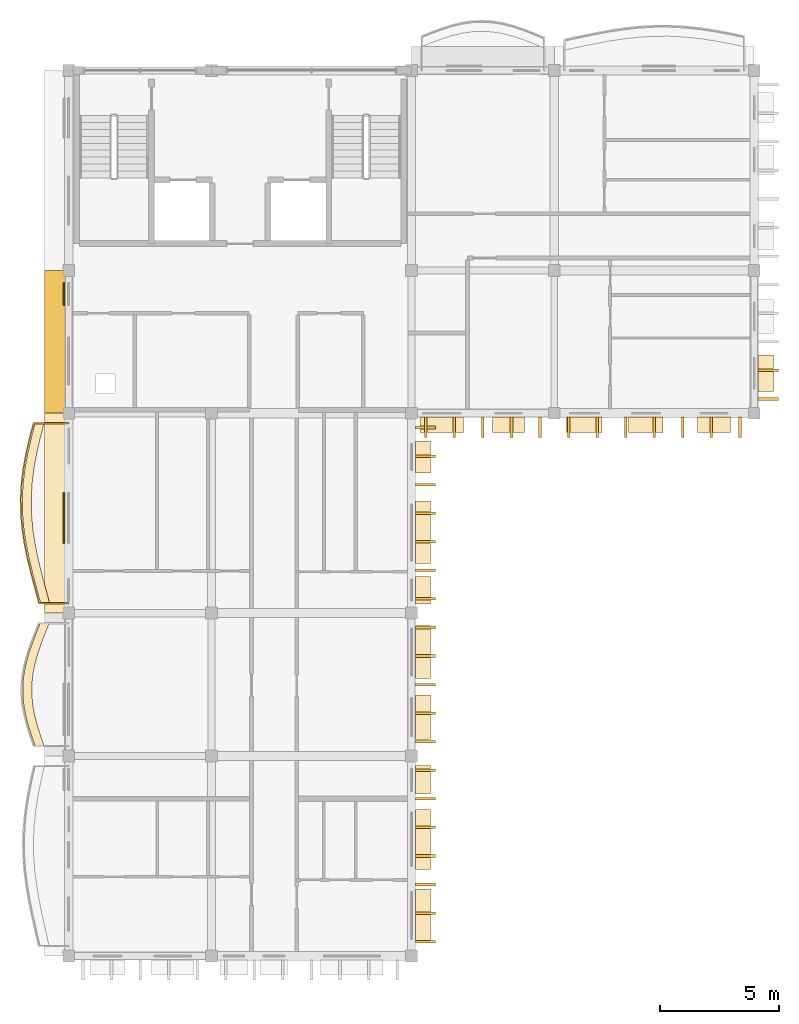
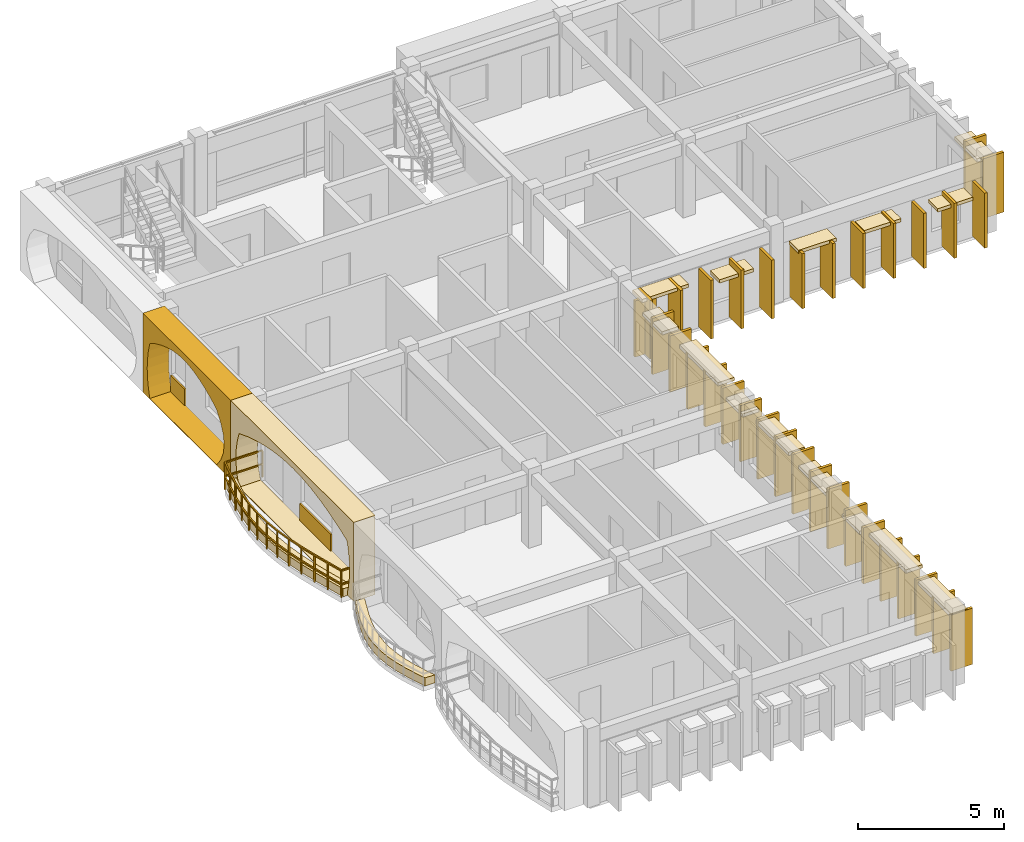
# One storey, part 9 of 11: 53 coverings, 1 railing.
"""IFC4 building model written with IfcOpenShell, lengths in metres."""

from ifc_helpers import new_model, si_unit, direction, frame, origin, origin_2d, place, context, subcontext, project, spatial, polyline, rectangle, outline, extrude, material, layer, layer_set, type_object, element, save


model = new_model("IFC4")

# Units and contexts
model_context = context("Model", 3, precision=1e-05, world=origin(), true_north=direction((0.0, 1.0)))
body_context = subcontext(model_context, "Body", "Model", "MODEL_VIEW")
ifc_project = project(units=[si_unit("LENGTHUNIT", "METRE"), si_unit("AREAUNIT", "SQUARE_METRE"), si_unit("VOLUMEUNIT", "CUBIC_METRE"), si_unit("PLANEANGLEUNIT", "RADIAN"), si_unit("MASSUNIT", "GRAM", prefix="KILO"), si_unit("THERMODYNAMICTEMPERATUREUNIT", "KELVIN")], contexts=[model_context])

# Site, building, storey
site_placement = place(None, origin())
site = spatial("IfcSite", under=ifc_project, at=site_placement, CompositionType="ELEMENT")
building_placement = place(site_placement, origin())
building = spatial("IfcBuilding", under=site, at=building_placement, Name="Thalorik Housing Commons", CompositionType="ELEMENT")
storey_placement = place(building_placement, frame((0.0, 0.0, 47.699951171875)))
storey = spatial("IfcBuildingStorey", under=building, at=storey_placement, Name="L14", CompositionType="ELEMENT", Elevation=47.699951171875)

# Coverings
ifc_material_1 = material(Name="Cobalt blue glazed ceramic facade tile panel", Category="masonry")
ifc_layer_1 = layer(ifc_material_1, 0.06005859375, Name="Cobalt blue glazed ceramic facade tile panel", Category="masonry")
ifc_layer_set_1 = layer_set([ifc_layer_1], Name="Cobalt blue glazed ceramic facade tile panel")
covering_type_1 = type_object("IfcCoveringType", Name="ARC-CLD-BLU-60", PredefinedType="CLADDING", material=ifc_layer_set_1)
covering_1_placement = place(storey_placement, frame((8.205078125, 104.800048828125, 0.05029296875), z_axis=(0.0, 0.0, 1.0), x_axis=(0.0, -1.0, 0.0)))
element("IfcCovering", 1, at=covering_1_placement, inside=storey, type_object=covering_type_1, Name="L14 De Stijl Recessed Window Spandrel 1361", PredefinedType="CLADDING", context=body_context, shape_type="SweptSolid", body=[
    extrude(rectangle(XDim=2.1201171875, YDim=0.06005859375, at=origin_2d()), origin(), (0.0, 0.0, 1.0), 0.699951171875),
])
ifc_material_2 = material(Name="Precast concrete C40/50", Category="concrete")
ifc_layer_2 = layer(ifc_material_2, 0.85009765625, Name="Precast concrete C40/50", Category="concrete")
ifc_layer_set_2 = layer_set([ifc_layer_2], Name="Precast concrete C40/50")
covering_type_2 = type_object("IfcCoveringType", Name="ARC-CLD-CUSH-850", PredefinedType="CLADDING", material=ifc_layer_set_2)
covering_2_placement = place(storey_placement, frame((7.81494140625, 112.199951171875, 0.0), z_axis=(0.0, 0.0, 1.0), x_axis=(0.0, -1.0, 0.0)))
element("IfcCovering", 2, at=covering_2_placement, inside=storey, type_object=covering_type_2, Name="L14 White Precast Curved Cushion Bay Frame 1358", PredefinedType="CLADDING", context=body_context, shape_type="SweptSolid", body=[
    extrude(outline(polyline([(-3.0, 0.0), (3.0, 0.0), (3.0, 3.300048828125), (-3.0, 3.300048828125), (-3.0, 0.0)]), holes=[polyline([(2.0400390625, 0.02490234375), (2.3232421875, 0.407470703125), (2.493408203125, 0.7900390625), (2.550048828125, 1.172607421875), (2.493408203125, 1.554931640625), (2.3232421875, 1.9375), (2.0400390625, 2.320068359375), (1.6591796875, 2.539306640625), (1.2783203125, 2.711181640625), (0.8974609375, 2.8505859375), (0.5166015625, 2.954345703125), (0.1357421875, 3.018310546875), (-0.2451171875, 3.0400390625), (-0.625732421875, 3.018310546875), (-1.006591796875, 2.954345703125), (-1.387451171875, 2.8505859375), (-1.768310546875, 2.711181640625), (-2.149169921875, 2.539306640625), (-2.530029296875, 2.320068359375), (-2.629150390625, 1.9375), (-2.688720703125, 1.554931640625), (-2.70849609375, 1.172607421875), (-2.688720703125, 0.7900390625), (-2.629150390625, 0.407470703125), (-2.530029296875, 0.02490234375), (2.0400390625, 0.02490234375)])]), frame((0.0, 0.425048828125, 0.0), z_axis=(0.0, -1.0, 0.0), x_axis=(1.0, 0.0, 0.0)), (0.0, 0.0, 1.0), 0.85009765625),
])
covering_3_placement = place(storey_placement, frame((7.81494140625, 105.0, 0.0), z_axis=(0.0, 0.0, 1.0), x_axis=(0.0, -1.0, 0.0)))
element("IfcCovering", 3, at=covering_3_placement, inside=storey, type_object=covering_type_2, Name="L14 White Precast Curved Cushion Bay Frame 1360", PredefinedType="CLADDING", context=body_context, shape_type="SweptSolid", body=[
    extrude(outline(polyline([(-4.199951171875, 0.0), (4.199951171875, 0.0), (4.199951171875, 3.300048828125), (-4.199951171875, 3.300048828125), (-4.199951171875, 0.0)]), holes=[polyline([(3.7451171875, 0.02490234375), (3.841064453125, 0.3974609375), (3.898681640625, 0.77001953125), (3.91796875, 1.142578125), (3.898681640625, 1.514892578125), (3.841064453125, 1.887451171875), (3.7451171875, 2.260009765625), (3.13037109375, 2.497314453125), (2.515869140625, 2.683837890625), (1.9013671875, 2.8349609375), (1.28662109375, 2.947265625), (0.672119140625, 3.0166015625), (0.0576171875, 3.0400390625), (-0.55712890625, 3.0166015625), (-1.171630859375, 2.947265625), (-1.7861328125, 2.8349609375), (-2.40087890625, 2.683837890625), (-3.015380859375, 2.497314453125), (-3.6298828125, 2.260009765625), (-3.750244140625, 1.887451171875), (-3.822509765625, 1.514892578125), (-3.8466796875, 1.142578125), (-3.822509765625, 0.77001953125), (-3.750244140625, 0.3974609375), (-3.6298828125, 0.02490234375), (3.7451171875, 0.02490234375)])]), frame((0.0, 0.425048828125, 0.0), z_axis=(0.0, -1.0, 0.0), x_axis=(1.0, 0.0, 0.0)), (0.0, 0.0, 1.0), 0.85009765625),
])
ifc_layer_3 = layer(ifc_material_2, 0.85009765625, Name="Precast concrete C40/50", Category="concrete")
ifc_layer_set_3 = layer_set([ifc_layer_3], Name="Precast concrete C40/50")
covering_type_3 = type_object("IfcCoveringType", Name="ARC-CLD-FIN-850", PredefinedType="CLADDING", material=ifc_layer_set_3)
for number, where, z_axis, x_axis, name in (
    (4, (23.39990234375, 108.614990234375, 0.0400390625), (0.0, 0.0, 1.0), (1.0, 0.0, 0.0), "L14 Courtyard Precast Vertical Brise-Soleil Fin 1318"),
    (5, (24.60009765625, 108.614990234375, 0.0400390625), (0.0, 0.0, 1.0), (1.0, 0.0, 0.0), "L14 Courtyard Precast Vertical Brise-Soleil Fin 1319"),
    (6, (25.800048828125, 108.614990234375, 0.0400390625), (0.0, 0.0, 1.0), (1.0, 0.0, 0.0), "L14 Courtyard Precast Vertical Brise-Soleil Fin 1320"),
    (7, (27.0, 108.614990234375, 0.0400390625), (0.0, 0.0, 1.0), (1.0, 0.0, 0.0), "L14 Courtyard Precast Vertical Brise-Soleil Fin 1321"),
    (8, (28.199951171875, 108.614990234375, 0.0400390625), (0.0, 0.0, 1.0), (1.0, 0.0, 0.0), "L14 Courtyard Precast Vertical Brise-Soleil Fin 1322"),
):
    element("IfcCovering", number, at=place(storey_placement, frame(where, z_axis=z_axis, x_axis=x_axis)), inside=storey, type_object=covering_type_3, Name=name, PredefinedType="CLADDING", context=body_context, shape_type="SweptSolid", body=[
        extrude(rectangle(XDim=0.110107421875, YDim=0.85009765625, at=origin_2d()), origin(), (0.0, 0.0, 1.0), 2.445068359375),
    ])
for number, where, z_axis, x_axis, name in (
    (9, (29.39990234375, 108.614990234375, 0.0400390625), (0.0, 0.0, 1.0), (1.0, 0.0, 0.0), "L14 Courtyard Precast Vertical Brise-Soleil Fin 1325"),
    (10, (30.60009765625, 108.614990234375, 0.0400390625), (0.0, 0.0, 1.0), (1.0, 0.0, 0.0), "L14 Courtyard Precast Vertical Brise-Soleil Fin 1326"),
    (11, (31.800048828125, 108.614990234375, 0.0400390625), (0.0, 0.0, 1.0), (1.0, 0.0, 0.0), "L14 Courtyard Precast Vertical Brise-Soleil Fin 1327"),
    (12, (33.0, 108.614990234375, 0.0400390625), (0.0, 0.0, 1.0), (1.0, 0.0, 0.0), "L14 Courtyard Precast Vertical Brise-Soleil Fin 1328"),
    (13, (34.199951171875, 108.614990234375, 0.0400390625), (0.0, 0.0, 1.0), (1.0, 0.0, 0.0), "L14 Courtyard Precast Vertical Brise-Soleil Fin 1329"),
    (14, (35.39990234375, 108.614990234375, 0.0400390625), (0.0, 0.0, 1.0), (1.0, 0.0, 0.0), "L14 Courtyard Precast Vertical Brise-Soleil Fin 1330"),
    (15, (36.60009765625, 108.614990234375, 0.0400390625), (0.0, 0.0, 1.0), (1.0, 0.0, 0.0), "L14 Courtyard Precast Vertical Brise-Soleil Fin 1331"),
):
    element("IfcCovering", number, at=place(storey_placement, frame(where, z_axis=z_axis, x_axis=x_axis)), inside=storey, type_object=covering_type_3, Name=name, PredefinedType="CLADDING", context=body_context, shape_type="SweptSolid", body=[
        extrude(rectangle(XDim=0.110107421875, YDim=0.85009765625, at=origin_2d()), origin(), (0.0, 0.0, 1.0), 2.294921875),
    ])
for number, where, z_axis, x_axis, name in (
    (16, (37.784912109375, 109.800048828125, 0.0400390625), (0.0, 0.0, 1.0), (0.0, 1.0, 0.0), "L14 Courtyard Precast Vertical Brise-Soleil Fin 1335"),
    (17, (37.784912109375, 111.0, 0.0400390625), (0.0, 0.0, 1.0), (0.0, 1.0, 0.0), "L14 Courtyard Precast Vertical Brise-Soleil Fin 1336"),
):
    element("IfcCovering", number, at=place(storey_placement, frame(where, z_axis=z_axis, x_axis=x_axis)), inside=storey, type_object=covering_type_3, Name=name, PredefinedType="CLADDING", context=body_context, shape_type="SweptSolid", body=[
        extrude(rectangle(XDim=0.110107421875, YDim=0.85009765625, at=origin_2d()), origin(), (0.0, 0.0, 1.0), 2.4951171875),
    ])
for number, where, z_axis, x_axis, name in (
    (18, (23.385009765625, 87.0, 0.0400390625), (0.0, 0.0, 1.0), (0.0, 1.0, 0.0), "L14 Courtyard Precast Vertical Brise-Soleil Fin 1383"),
    (19, (23.385009765625, 88.199951171875, 0.0400390625), (0.0, 0.0, 1.0), (0.0, 1.0, 0.0), "L14 Courtyard Precast Vertical Brise-Soleil Fin 1384"),
    (20, (23.385009765625, 89.39990234375, 0.0400390625), (0.0, 0.0, 1.0), (0.0, 1.0, 0.0), "L14 Courtyard Precast Vertical Brise-Soleil Fin 1385"),
    (21, (23.385009765625, 90.60009765625, 0.0400390625), (0.0, 0.0, 1.0), (0.0, 1.0, 0.0), "L14 Courtyard Precast Vertical Brise-Soleil Fin 1386"),
    (22, (23.385009765625, 91.800048828125, 0.0400390625), (0.0, 0.0, 1.0), (0.0, 1.0, 0.0), "L14 Courtyard Precast Vertical Brise-Soleil Fin 1387"),
    (23, (23.385009765625, 93.0, 0.0400390625), (0.0, 0.0, 1.0), (0.0, 1.0, 0.0), "L14 Courtyard Precast Vertical Brise-Soleil Fin 1388"),
    (24, (23.385009765625, 94.199951171875, 0.0400390625), (0.0, 0.0, 1.0), (0.0, 1.0, 0.0), "L14 Courtyard Precast Vertical Brise-Soleil Fin 1389"),
):
    element("IfcCovering", number, at=place(storey_placement, frame(where, z_axis=z_axis, x_axis=x_axis)), inside=storey, type_object=covering_type_3, Name=name, PredefinedType="CLADDING", context=body_context, shape_type="SweptSolid", body=[
        extrude(rectangle(XDim=0.110107421875, YDim=0.85009765625, at=origin_2d()), origin(), (0.0, 0.0, 1.0), 2.344970703125),
    ])
for number, where, z_axis, x_axis, name in (
    (25, (23.385009765625, 95.39990234375, 0.0400390625), (0.0, 0.0, 1.0), (0.0, 1.0, 0.0), "L14 Courtyard Precast Vertical Brise-Soleil Fin 1393"),
    (26, (23.385009765625, 96.60009765625, 0.0400390625), (0.0, 0.0, 1.0), (0.0, 1.0, 0.0), "L14 Courtyard Precast Vertical Brise-Soleil Fin 1394"),
    (27, (23.385009765625, 97.800048828125, 0.0400390625), (0.0, 0.0, 1.0), (0.0, 1.0, 0.0), "L14 Courtyard Precast Vertical Brise-Soleil Fin 1395"),
    (28, (23.385009765625, 99.0, 0.0400390625), (0.0, 0.0, 1.0), (0.0, 1.0, 0.0), "L14 Courtyard Precast Vertical Brise-Soleil Fin 1396"),
    (29, (23.385009765625, 100.199951171875, 0.0400390625), (0.0, 0.0, 1.0), (0.0, 1.0, 0.0), "L14 Courtyard Precast Vertical Brise-Soleil Fin 1397"),
):
    element("IfcCovering", number, at=place(storey_placement, frame(where, z_axis=z_axis, x_axis=x_axis)), inside=storey, type_object=covering_type_3, Name=name, PredefinedType="CLADDING", context=body_context, shape_type="SweptSolid", body=[
        extrude(rectangle(XDim=0.110107421875, YDim=0.85009765625, at=origin_2d()), origin(), (0.0, 0.0, 1.0), 2.4951171875),
    ])
for number, where, z_axis, x_axis, name in (
    (30, (23.385009765625, 101.39990234375, 0.0400390625), (0.0, 0.0, 1.0), (0.0, 1.0, 0.0), "L14 Courtyard Precast Vertical Brise-Soleil Fin 1400"),
    (31, (23.385009765625, 102.60009765625, 0.0400390625), (0.0, 0.0, 1.0), (0.0, 1.0, 0.0), "L14 Courtyard Precast Vertical Brise-Soleil Fin 1401"),
    (32, (23.385009765625, 103.800048828125, 0.0400390625), (0.0, 0.0, 1.0), (0.0, 1.0, 0.0), "L14 Courtyard Precast Vertical Brise-Soleil Fin 1402"),
    (33, (23.385009765625, 105.0, 0.0400390625), (0.0, 0.0, 1.0), (0.0, 1.0, 0.0), "L14 Courtyard Precast Vertical Brise-Soleil Fin 1403"),
    (34, (23.385009765625, 106.199951171875, 0.0400390625), (0.0, 0.0, 1.0), (0.0, 1.0, 0.0), "L14 Courtyard Precast Vertical Brise-Soleil Fin 1404"),
    (35, (23.385009765625, 107.39990234375, 0.0400390625), (0.0, 0.0, 1.0), (0.0, 1.0, 0.0), "L14 Courtyard Precast Vertical Brise-Soleil Fin 1405"),
    (36, (23.385009765625, 108.60009765625, 0.0400390625), (0.0, 0.0, 1.0), (0.0, 1.0, 0.0), "L14 Courtyard Precast Vertical Brise-Soleil Fin 1406"),
):
    element("IfcCovering", number, at=place(storey_placement, frame(where, z_axis=z_axis, x_axis=x_axis)), inside=storey, type_object=covering_type_3, Name=name, PredefinedType="CLADDING", context=body_context, shape_type="SweptSolid", body=[
        extrude(rectangle(XDim=0.110107421875, YDim=0.85009765625, at=origin_2d()), origin(), (0.0, 0.0, 1.0), 2.344970703125),
    ])
ifc_layer_4 = layer(ifc_material_2, 0.64990234375, Name="Precast concrete C40/50", Category="concrete")
ifc_layer_set_4 = layer_set([ifc_layer_4], Name="Precast concrete C40/50")
covering_type_4 = type_object("IfcCoveringType", Name="ARC-CLD-HOOD-650", PredefinedType="CLADDING", material=ifc_layer_set_4)
covering_4_placement = place(storey_placement, frame((24.070068359375, 108.715087890625, 2.34033203125), z_axis=(0.0, 0.0, 1.0), x_axis=(1.0, 0.0, 0.0)))
element("IfcCovering", 37, at=covering_4_placement, inside=storey, type_object=covering_type_4, Name="L14 Courtyard Precast Window Sun-Hood 1323", PredefinedType="CLADDING", context=body_context, shape_type="SweptSolid", body=[
    extrude(rectangle(XDim=1.840087890625, YDim=0.64990234375, at=origin_2d()), origin(), (0.0, 0.0, 1.0), 0.139892578125),
])
covering_5_placement = place(storey_placement, frame((26.8798828125, 108.715087890625, 2.09033203125), z_axis=(0.0, 0.0, 1.0), x_axis=(1.0, 0.0, 0.0)))
element("IfcCovering", 38, at=covering_5_placement, inside=storey, type_object=covering_type_4, Name="L14 Courtyard Precast Window Sun-Hood 1324", PredefinedType="CLADDING", context=body_context, shape_type="SweptSolid", body=[
    extrude(rectangle(XDim=1.340087890625, YDim=0.64990234375, at=origin_2d()), origin(), (0.0, 0.0, 1.0), 0.139892578125),
])
covering_6_placement = place(storey_placement, frame((30.0673828125, 108.715087890625, 2.22509765625), z_axis=(0.0, 0.0, 1.0), x_axis=(1.0, 0.0, 0.0)))
element("IfcCovering", 39, at=covering_6_placement, inside=storey, type_object=covering_type_4, Name="L14 Courtyard Precast Window Sun-Hood 1332", PredefinedType="CLADDING", context=body_context, shape_type="SweptSolid", body=[
    extrude(rectangle(XDim=1.489990234375, YDim=0.64990234375, at=origin_2d()), origin(), (0.0, 0.0, 1.0), 0.139892578125),
])
covering_7_placement = place(storey_placement, frame((32.646240234375, 108.715087890625, 2.14013671875), z_axis=(0.0, 0.0, 1.0), x_axis=(1.0, 0.0, 0.0)))
element("IfcCovering", 40, at=covering_7_placement, inside=storey, type_object=covering_type_4, Name="L14 Courtyard Precast Window Sun-Hood 1333", PredefinedType="CLADDING", context=body_context, shape_type="SweptSolid", body=[
    extrude(rectangle(XDim=1.43994140625, YDim=0.64990234375, at=origin_2d()), origin(), (0.0, 0.0, 1.0), 0.139892578125),
])
covering_8_placement = place(storey_placement, frame((35.5087890625, 108.715087890625, 2.0400390625), z_axis=(0.0, 0.0, 1.0), x_axis=(1.0, 0.0, 0.0)))
element("IfcCovering", 41, at=covering_8_placement, inside=storey, type_object=covering_type_4, Name="L14 Courtyard Precast Window Sun-Hood 1334", PredefinedType="CLADDING", context=body_context, shape_type="SweptSolid", body=[
    extrude(rectangle(XDim=1.389892578125, YDim=0.64990234375, at=origin_2d()), origin(), (0.0, 0.0, 1.0), 0.139892578125),
])
covering_9_placement = place(storey_placement, frame((37.68505859375, 110.87548828125, 2.18994140625), z_axis=(0.0, 0.0, 1.0), x_axis=(0.0, 1.0, 0.0)))
element("IfcCovering", 42, at=covering_9_placement, inside=storey, type_object=covering_type_4, Name="L14 Courtyard Precast Window Sun-Hood 1340", PredefinedType="CLADDING", context=body_context, shape_type="SweptSolid", body=[
    extrude(rectangle(XDim=1.5400390625, YDim=0.64990234375, at=origin_2d()), origin(), (0.0, 0.0, 1.0), 0.139892578125),
])
covering_10_placement = place(storey_placement, frame((23.284912109375, 88.094482421875, 2.27490234375), z_axis=(0.0, 0.0, 1.0), x_axis=(0.0, 1.0, 0.0)))
element("IfcCovering", 43, at=covering_10_placement, inside=storey, type_object=covering_type_4, Name="L14 Courtyard Precast Window Sun-Hood 1390", PredefinedType="CLADDING", context=body_context, shape_type="SweptSolid", body=[
    extrude(rectangle(XDim=2.239990234375, YDim=0.64990234375, at=origin_2d()), origin(), (0.0, 0.0, 1.0), 0.139892578125),
])
covering_11_placement = place(storey_placement, frame((23.284912109375, 91.299560546875, 2.25), z_axis=(0.0, 0.0, 1.0), x_axis=(0.0, 1.0, 0.0)))
element("IfcCovering", 44, at=covering_11_placement, inside=storey, type_object=covering_type_4, Name="L14 Courtyard Precast Window Sun-Hood 1391", PredefinedType="CLADDING", context=body_context, shape_type="SweptSolid", body=[
    extrude(rectangle(XDim=2.52001953125, YDim=0.64990234375, at=origin_2d()), origin(), (0.0, 0.0, 1.0), 0.139892578125),
])
covering_12_placement = place(storey_placement, frame((23.284912109375, 93.804931640625, 1.93994140625), z_axis=(0.0, 0.0, 1.0), x_axis=(0.0, 1.0, 0.0)))
element("IfcCovering", 45, at=covering_12_placement, inside=storey, type_object=covering_type_4, Name="L14 Courtyard Precast Window Sun-Hood 1392", PredefinedType="CLADDING", context=body_context, shape_type="SweptSolid", body=[
    extrude(rectangle(XDim=1.18994140625, YDim=0.64990234375, at=origin_2d()), origin(), (0.0, 0.0, 1.0), 0.139892578125),
])
covering_13_placement = place(storey_placement, frame((23.284912109375, 96.429931640625, 2.169921875), z_axis=(0.0, 0.0, 1.0), x_axis=(0.0, 1.0, 0.0)))
element("IfcCovering", 46, at=covering_13_placement, inside=storey, type_object=covering_type_4, Name="L14 Courtyard Precast Window Sun-Hood 1398", PredefinedType="CLADDING", context=body_context, shape_type="SweptSolid", body=[
    extrude(rectangle(XDim=1.860107421875, YDim=0.64990234375, at=origin_2d()), origin(), (0.0, 0.0, 1.0), 0.139892578125),
])
covering_14_placement = place(storey_placement, frame((23.284912109375, 99.169921875, 2.2900390625), z_axis=(0.0, 0.0, 1.0), x_axis=(0.0, 1.0, 0.0)))
element("IfcCovering", 47, at=covering_14_placement, inside=storey, type_object=covering_type_4, Name="L14 Courtyard Precast Window Sun-Hood 1399", PredefinedType="CLADDING", context=body_context, shape_type="SweptSolid", body=[
    extrude(rectangle(XDim=2.219970703125, YDim=0.64990234375, at=origin_2d()), origin(), (0.0, 0.0, 1.0), 0.139892578125),
])
covering_15_placement = place(storey_placement, frame((23.284912109375, 101.7666015625, 1.990234375), z_axis=(0.0, 0.0, 1.0), x_axis=(0.0, 1.0, 0.0)))
element("IfcCovering", 48, at=covering_15_placement, inside=storey, type_object=covering_type_4, Name="L14 Courtyard Precast Window Sun-Hood 1407", PredefinedType="CLADDING", context=body_context, shape_type="SweptSolid", body=[
    extrude(rectangle(XDim=1.139892578125, YDim=0.64990234375, at=origin_2d()), origin(), (0.0, 0.0, 1.0), 0.139892578125),
])
covering_16_placement = place(storey_placement, frame((23.284912109375, 104.19482421875, 2.27001953125), z_axis=(0.0, 0.0, 1.0), x_axis=(0.0, 1.0, 0.0)))
element("IfcCovering", 49, at=covering_16_placement, inside=storey, type_object=covering_type_4, Name="L14 Courtyard Precast Window Sun-Hood 1408", PredefinedType="CLADDING", context=body_context, shape_type="SweptSolid", body=[
    extrude(rectangle(XDim=2.6201171875, YDim=0.64990234375, at=origin_2d()), origin(), (0.0, 0.0, 1.0), 0.139892578125),
])
covering_17_placement = place(storey_placement, frame((23.284912109375, 107.3583984375, 2.09033203125), z_axis=(0.0, 0.0, 1.0), x_axis=(0.0, 1.0, 0.0)))
element("IfcCovering", 50, at=covering_17_placement, inside=storey, type_object=covering_type_4, Name="L14 Courtyard Precast Window Sun-Hood 1409", PredefinedType="CLADDING", context=body_context, shape_type="SweptSolid", body=[
    extrude(rectangle(XDim=1.340087890625, YDim=0.64990234375, at=origin_2d()), origin(), (0.0, 0.0, 1.0), 0.139892578125),
])
ifc_material_3 = material(Name="Terracotta red mineral fibre-cement panel", Category="masonry")
ifc_layer_5 = layer(ifc_material_3, 0.054931640625, Name="Terracotta red mineral fibre-cement panel", Category="masonry")
ifc_layer_set_5 = layer_set([ifc_layer_5], Name="Terracotta red mineral fibre-cement panel")
covering_type_5 = type_object("IfcCoveringType", Name="ARC-CLD-RED-55", PredefinedType="CLADDING", material=ifc_layer_set_5)
covering_18_placement = place(storey_placement, frame((8.20751953125, 114.205078125, 0.05029296875), z_axis=(0.0, 0.0, 1.0), x_axis=(0.0, -1.0, 0.0)))
element("IfcCovering", 51, at=covering_18_placement, inside=storey, type_object=covering_type_5, Name="L14 De Stijl Recessed Window Spandrel 1359", PredefinedType="CLADDING", context=body_context, shape_type="SweptSolid", body=[
    extrude(rectangle(XDim=0.949951171875, YDim=0.054931640625, at=origin_2d()), origin(), (0.0, 0.0, 1.0), 0.699951171875),
])
ifc_material_4 = material(Name="Planted vegetated substrate and terracotta trough", Category="masonry")
ifc_layer_6 = layer(ifc_material_4, 0.340087890625, Name="Planted vegetated substrate and terracotta trough", Category="masonry")
ifc_layer_set_6 = layer_set([ifc_layer_6], Name="Planted vegetated substrate and terracotta trough")
covering_type_6 = type_object("IfcCoveringType", Name="ARC-COV-PLANTER", PredefinedType="USERDEFINED", material=ifc_layer_set_6)
covering_19_placement = place(storey_placement, origin())
element("IfcCovering", 52, at=covering_19_placement, inside=storey, type_object=covering_type_6, Name="L14 Balcony Slab-Edge Planted Trough 5410", ObjectType="PLANTER", PredefinedType="USERDEFINED", context=body_context, shape_type="SweptSolid", body=[
    extrude(outline(polyline([(7.20068359375, 100.3798828125), (7.028564453125, 99.949951171875), (6.864013671875, 99.52001953125), (6.718017578125, 99.090087890625), (6.599853515625, 98.659912109375), (6.5166015625, 98.22998046875), (6.473388671875, 97.800048828125), (6.47265625, 97.3701171875), (6.51318359375, 96.93994140625), (6.59228515625, 96.510009765625), (6.703125, 96.080078125), (6.83837890625, 95.64990234375), (6.98779296875, 95.219970703125), (7.367919921875, 95.219970703125), (7.21826171875, 95.64990234375), (7.083251953125, 96.080078125), (6.97216796875, 96.510009765625), (6.893310546875, 96.93994140625), (6.8525390625, 97.3701171875), (6.853515625, 97.800048828125), (6.896484375, 98.22998046875), (6.979736328125, 98.659912109375), (7.09814453125, 99.090087890625), (7.244140625, 99.52001953125), (7.40869140625, 99.949951171875), (7.580810546875, 100.3798828125), (7.20068359375, 100.3798828125)])), origin(), (0.0, 0.0, 1.0), 0.340087890625),
])
covering_20_placement = place(storey_placement, origin())
element("IfcCovering", 53, at=covering_20_placement, inside=storey, type_object=covering_type_6, Name="L14 Balcony Slab-Edge Planted Trough 5411", ObjectType="PLANTER", PredefinedType="USERDEFINED", context=body_context, shape_type="SweptSolid", body=[
    extrude(outline(polyline([(6.98876953125, 108.780029296875), (6.823974609375, 108.14990234375), (6.6787109375, 107.52001953125), (6.56298828125, 106.889892578125), (6.484619140625, 106.260009765625), (6.448974609375, 105.6298828125), (6.458251953125, 105.0), (6.511474609375, 104.3701171875), (6.604736328125, 103.739990234375), (6.731689453125, 103.110107421875), (6.88330078125, 102.47998046875), (7.04931640625, 101.85009765625), (7.218017578125, 101.219970703125), (7.597900390625, 101.219970703125), (7.42919921875, 101.85009765625), (7.263427734375, 102.47998046875), (7.11181640625, 103.110107421875), (6.98486328125, 103.739990234375), (6.891357421875, 104.3701171875), (6.838134765625, 105.0), (6.8291015625, 105.6298828125), (6.86474609375, 106.260009765625), (6.94287109375, 106.889892578125), (7.05859375, 107.52001953125), (7.203857421875, 108.14990234375), (7.368896484375, 108.780029296875), (6.98876953125, 108.780029296875)])), origin(), (0.0, 0.0, 1.0), 0.340087890625),
])

# Railing
ifc_material_5 = material(Name="Steel S355", Category="steel")
railing_type = type_object("IfcRailingType", Name="ARC-RL-BAL-115", PredefinedType="BALUSTRADE", material=ifc_material_5)
railing_placement = place(storey_placement, frame((8.39990234375, 108.780029296875, 0.0)))
element("IfcRailing", 54, at=railing_placement, inside=storey, type_object=railing_type, Name="L14 Cushion Balcony Guardrail 95", PredefinedType="BALUSTRADE", context=body_context, shape_type="SweptSolid", body=[
    extrude(rectangle(XDim=0.050048828125, YDim=0.050048828125, at=origin_2d()), frame((0.0, 0.0, 1.125), z_axis=(-1.0, 0.0, 0.0), x_axis=(0.0, -1.0, 0.0)), (0.0, 0.0, 1.0), 1.481201171875),
    extrude(rectangle(XDim=0.050048828125, YDim=0.050048828125, at=origin_2d()), frame((0.0, 0.0, 0.5498046875), z_axis=(-1.0, 0.0, 0.0), x_axis=(0.0, -1.0, 0.0)), (0.0, 0.0, 1.0), 1.481201171875),
    extrude(rectangle(XDim=0.050048828125, YDim=0.050048828125, at=origin_2d()), frame((-1.481201171875, 0.0, 1.125), z_axis=(-0.253016949254, -0.967461845961, 0.0), x_axis=(0.967461845961, -0.253016949254, 0.0)), (0.0, 0.0, 1.0), 0.6513671875),
    extrude(rectangle(XDim=0.050048828125, YDim=0.050048828125, at=origin_2d()), frame((-1.481201171875, 0.0, 0.5498046875), z_axis=(-0.253016949254, -0.967461845961, 0.0), x_axis=(0.967461845961, -0.253016949254, 0.0)), (0.0, 0.0, 1.0), 0.6513671875),
    extrude(rectangle(XDim=0.050048828125, YDim=0.050048828125, at=origin_2d()), frame((-1.64599609375, -0.630126953125, 1.125), z_axis=(-0.224721586373, -0.974423013182, 0.0), x_axis=(0.974423013182, -0.224721586373, 0.0)), (0.0, 0.0, 1.0), 0.646484375),
    extrude(rectangle(XDim=0.050048828125, YDim=0.050048828125, at=origin_2d()), frame((-1.64599609375, -0.630126953125, 0.5498046875), z_axis=(-0.224721586373, -0.974423013182, 0.0), x_axis=(0.974423013182, -0.224721586373, 0.0)), (0.0, 0.0, 1.0), 0.646484375),
    extrude(rectangle(XDim=0.050048828125, YDim=0.050048828125, at=origin_2d()), frame((-1.791259765625, -1.260009765625, 1.125), z_axis=(-0.180628950644, -0.983551311417, 0.0), x_axis=(0.983551311417, -0.180628950644, 0.0)), (0.0, 0.0, 1.0), 0.640625),
    extrude(rectangle(XDim=0.050048828125, YDim=0.050048828125, at=origin_2d()), frame((-1.791259765625, -1.260009765625, 0.5498046875), z_axis=(-0.180628950644, -0.983551311417, 0.0), x_axis=(0.983551311417, -0.180628950644, 0.0)), (0.0, 0.0, 1.0), 0.640625),
    extrude(rectangle(XDim=0.050048828125, YDim=0.050048828125, at=origin_2d()), frame((-1.906982421875, -1.89013671875, 1.125), z_axis=(-0.123087848519, -0.992395778683, 0.0), x_axis=(0.992395778683, -0.123087848519, 0.0)), (0.0, 0.0, 1.0), 0.634765625),
    extrude(rectangle(XDim=0.050048828125, YDim=0.050048828125, at=origin_2d()), frame((-1.906982421875, -1.89013671875, 0.5498046875), z_axis=(-0.123087848519, -0.992395778683, 0.0), x_axis=(0.992395778683, -0.123087848519, 0.0)), (0.0, 0.0, 1.0), 0.634765625),
    extrude(rectangle(XDim=0.050048828125, YDim=0.050048828125, at=origin_2d()), frame((-1.985107421875, -2.52001953125, 1.125), z_axis=(-0.056862517112, -0.998382018141, 0.0), x_axis=(0.998382018141, -0.056862517112, 0.0)), (0.0, 0.0, 1.0), 0.631103515625),
    extrude(rectangle(XDim=0.050048828125, YDim=0.050048828125, at=origin_2d()), frame((-1.985107421875, -2.52001953125, 0.5498046875), z_axis=(-0.056862517112, -0.998382018141, 0.0), x_axis=(0.998382018141, -0.056862517112, 0.0)), (0.0, 0.0, 1.0), 0.631103515625),
    extrude(rectangle(XDim=0.050048828125, YDim=0.050048828125, at=origin_2d()), frame((-2.02099609375, -3.150146484375, 1.125), z_axis=(0.014727084854, -0.999891550605, 0.0), x_axis=(0.999891550605, 0.014727084854, 0.0)), (0.0, 0.0, 1.0), 0.6298828125),
    extrude(rectangle(XDim=0.050048828125, YDim=0.050048828125, at=origin_2d()), frame((-2.02099609375, -3.150146484375, 0.5498046875), z_axis=(0.014727084854, -0.999891550605, 0.0), x_axis=(0.999891550605, 0.014727084854, 0.0)), (0.0, 0.0, 1.0), 0.6298828125),
    extrude(rectangle(XDim=0.050048828125, YDim=0.050048828125, at=origin_2d()), frame((-2.01171875, -3.780029296875, 1.125), z_axis=(0.084196095588, -0.99644920467, 0.0), x_axis=(0.99644920467, 0.084196095588, 0.0)), (0.0, 0.0, 1.0), 0.632080078125),
    extrude(rectangle(XDim=0.050048828125, YDim=0.050048828125, at=origin_2d()), frame((-2.01171875, -3.780029296875, 0.5498046875), z_axis=(0.084196095588, -0.99644920467, 0.0), x_axis=(0.99644920467, 0.084196095588, 0.0)), (0.0, 0.0, 1.0), 0.632080078125),
    extrude(rectangle(XDim=0.050048828125, YDim=0.050048828125, at=origin_2d()), frame((-1.95849609375, -4.409912109375, 1.125), z_axis=(0.146784780117, -0.989168452957, 0.0), x_axis=(0.989168452957, 0.146784780117, 0.0)), (0.0, 0.0, 1.0), 0.636962890625),
    extrude(rectangle(XDim=0.050048828125, YDim=0.050048828125, at=origin_2d()), frame((-1.95849609375, -4.409912109375, 0.5498046875), z_axis=(0.146784780117, -0.989168452957, 0.0), x_axis=(0.989168452957, 0.146784780117, 0.0)), (0.0, 0.0, 1.0), 0.636962890625),
    extrude(rectangle(XDim=0.050048828125, YDim=0.050048828125, at=origin_2d()), frame((-1.864990234375, -5.0400390625, 1.125), z_axis=(0.19757728782, -0.980287312647, 0.0), x_axis=(0.980287312647, 0.19757728782, 0.0)), (0.0, 0.0, 1.0), 0.642578125),
    extrude(rectangle(XDim=0.050048828125, YDim=0.050048828125, at=origin_2d()), frame((-1.864990234375, -5.0400390625, 0.5498046875), z_axis=(0.19757728782, -0.980287312647, 0.0), x_axis=(0.980287312647, 0.19757728782, 0.0)), (0.0, 0.0, 1.0), 0.642578125),
    extrude(rectangle(XDim=0.050048828125, YDim=0.050048828125, at=origin_2d()), frame((-1.738037109375, -5.669921875, 1.125), z_axis=(0.23392855603, -0.972253789231, 0.0), x_axis=(0.972253789231, 0.23392855603, 0.0)), (0.0, 0.0, 1.0), 0.648193359375),
    extrude(rectangle(XDim=0.050048828125, YDim=0.050048828125, at=origin_2d()), frame((-1.738037109375, -5.669921875, 0.5498046875), z_axis=(0.23392855603, -0.972253789231, 0.0), x_axis=(0.972253789231, 0.23392855603, 0.0)), (0.0, 0.0, 1.0), 0.648193359375),
    extrude(rectangle(XDim=0.050048828125, YDim=0.050048828125, at=origin_2d()), frame((-1.58642578125, -6.300048828125, 1.125), z_axis=(0.254511749573, -0.967069681734, 0.0), x_axis=(0.967069681734, 0.254511749573, 0.0)), (0.0, 0.0, 1.0), 0.6513671875),
    extrude(rectangle(XDim=0.050048828125, YDim=0.050048828125, at=origin_2d()), frame((-1.58642578125, -6.300048828125, 0.5498046875), z_axis=(0.254511749573, -0.967069681734, 0.0), x_axis=(0.967069681734, 0.254511749573, 0.0)), (0.0, 0.0, 1.0), 0.6513671875),
    extrude(rectangle(XDim=0.050048828125, YDim=0.050048828125, at=origin_2d()), frame((-1.420654296875, -6.929931640625, 1.125), z_axis=(0.258617601068, -0.965979780543, 0.0), x_axis=(0.965979780543, 0.258617601068, 0.0)), (0.0, 0.0, 1.0), 0.65234375),
    extrude(rectangle(XDim=0.050048828125, YDim=0.050048828125, at=origin_2d()), frame((-1.420654296875, -6.929931640625, 0.5498046875), z_axis=(0.258617601068, -0.965979780543, 0.0), x_axis=(0.965979780543, 0.258617601068, 0.0)), (0.0, 0.0, 1.0), 0.65234375),
    extrude(rectangle(XDim=0.050048828125, YDim=0.050048828125, at=origin_2d()), frame((-1.251953125, -7.56005859375, 1.125), z_axis=(1.0, 0.0, 0.0), x_axis=(0.0, 1.0, 0.0)), (0.0, 0.0, 1.0), 1.251953125),
    extrude(rectangle(XDim=0.050048828125, YDim=0.050048828125, at=origin_2d()), frame((-1.251953125, -7.56005859375, 0.5498046875), z_axis=(1.0, 0.0, 0.0), x_axis=(0.0, 1.0, 0.0)), (0.0, 0.0, 1.0), 1.251953125),
    extrude(rectangle(XDim=0.0419921875, YDim=0.0419921875, at=origin_2d()), origin(), (0.0, 0.0, 1.0), 1.099853515625),
    extrude(rectangle(XDim=0.0419921875, YDim=0.0419921875, at=origin_2d()), frame((-1.481201171875, 0.0, 0.0)), (0.0, 0.0, 1.0), 1.099853515625),
    extrude(rectangle(XDim=0.0419921875, YDim=0.0419921875, at=origin_2d()), frame((-1.64599609375, -0.630126953125, 0.0)), (0.0, 0.0, 1.0), 1.099853515625),
    extrude(rectangle(XDim=0.0419921875, YDim=0.0419921875, at=origin_2d()), frame((-1.791259765625, -1.260009765625, 0.0)), (0.0, 0.0, 1.0), 1.099853515625),
    extrude(rectangle(XDim=0.0419921875, YDim=0.0419921875, at=origin_2d()), frame((-1.906982421875, -1.89013671875, 0.0)), (0.0, 0.0, 1.0), 1.099853515625),
    extrude(rectangle(XDim=0.0419921875, YDim=0.0419921875, at=origin_2d()), frame((-1.985107421875, -2.52001953125, 0.0)), (0.0, 0.0, 1.0), 1.099853515625),
    extrude(rectangle(XDim=0.0419921875, YDim=0.0419921875, at=origin_2d()), frame((-2.02099609375, -3.150146484375, 0.0)), (0.0, 0.0, 1.0), 1.099853515625),
    extrude(rectangle(XDim=0.0419921875, YDim=0.0419921875, at=origin_2d()), frame((-2.01171875, -3.780029296875, 0.0)), (0.0, 0.0, 1.0), 1.099853515625),
    extrude(rectangle(XDim=0.0419921875, YDim=0.0419921875, at=origin_2d()), frame((-1.95849609375, -4.409912109375, 0.0)), (0.0, 0.0, 1.0), 1.099853515625),
    extrude(rectangle(XDim=0.0419921875, YDim=0.0419921875, at=origin_2d()), frame((-1.864990234375, -5.0400390625, 0.0)), (0.0, 0.0, 1.0), 1.099853515625),
    extrude(rectangle(XDim=0.0419921875, YDim=0.0419921875, at=origin_2d()), frame((-1.738037109375, -5.669921875, 0.0)), (0.0, 0.0, 1.0), 1.099853515625),
    extrude(rectangle(XDim=0.0419921875, YDim=0.0419921875, at=origin_2d()), frame((-1.58642578125, -6.300048828125, 0.0)), (0.0, 0.0, 1.0), 1.099853515625),
    extrude(rectangle(XDim=0.0419921875, YDim=0.0419921875, at=origin_2d()), frame((-1.420654296875, -6.929931640625, 0.0)), (0.0, 0.0, 1.0), 1.099853515625),
    extrude(rectangle(XDim=0.0419921875, YDim=0.0419921875, at=origin_2d()), frame((-1.251953125, -7.56005859375, 0.0)), (0.0, 0.0, 1.0), 1.099853515625),
    extrude(rectangle(XDim=0.0419921875, YDim=0.0419921875, at=origin_2d()), frame((0.0, -7.56005859375, 0.0)), (0.0, 0.0, 1.0), 1.099853515625),
])

save(model, "model.ifc")
